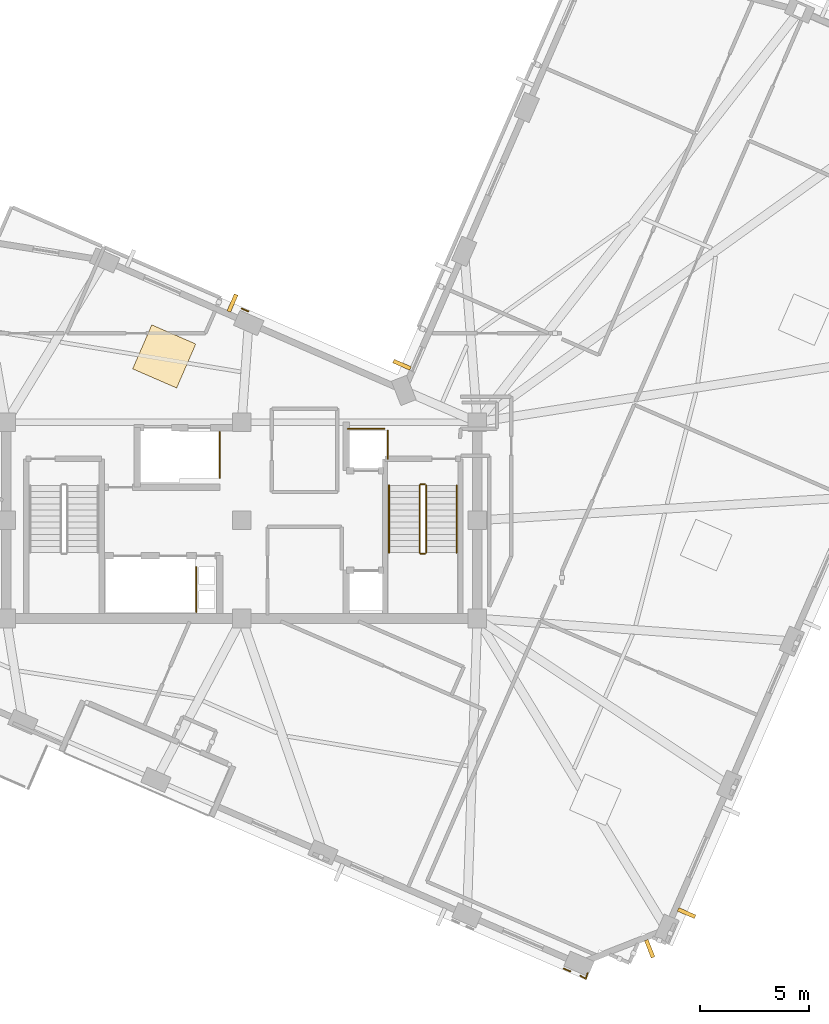
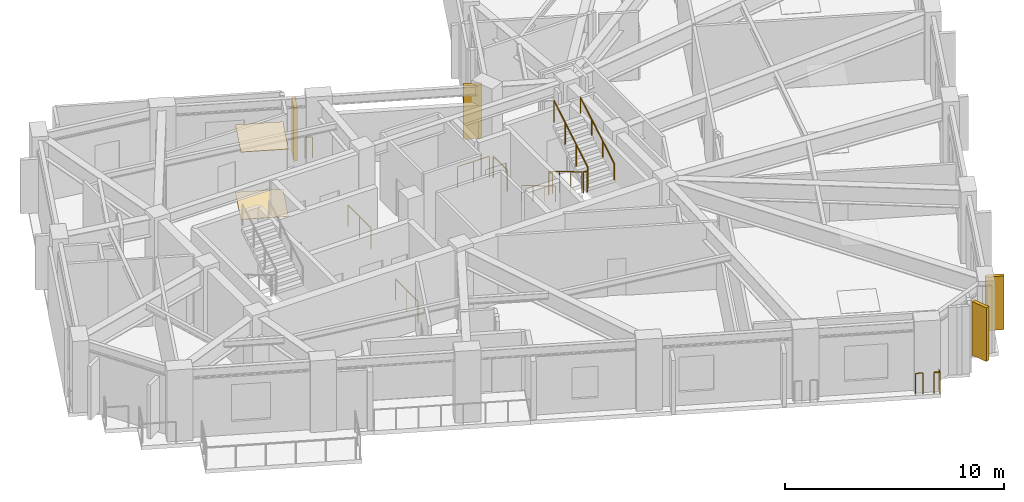
# One storey, part 10 of 12: 13 railings, 4 shading devices, 2 coverings.
"""IFC4 building model written with IfcOpenShell, lengths in metres."""

import ifcopenshell
import ifcopenshell.guid

model = None  # the IFC model being written
_history = None  # IfcOwnerHistory: only IFC2X3 demands one
_inside = {}  # id of a spatial element -> (the spatial element, [elements in it])
_under = {}  # id of a project, library or spatial element -> (it, [spatial elements below it])
_declared = {}  # id of a project -> (the project, [libraries it declares])
_typed = {}  # id of a type object -> (the type object, [elements of that type])
_made_of = {}  # id of a material, layer set ... -> (it, [elements and type objects made of it])


def new_model(schema):
    """Start an empty IFC model of exactly this schema.

    Asked for "IFC4X3", IfcOpenShell would pick the latest addendum, in which some entities
    have other attributes; the version numbers below select the first issue.
    IFC2X3 requires an IfcOwnerHistory on every rooted entity: one is made here for all.
    """
    global model, _history
    if schema == "IFC4X3":
        model = ifcopenshell.file(schema_version=(4, 3, 0, 0))
    else:
        model = ifcopenshell.file(schema=schema)
    _inside.clear()
    _under.clear()
    _declared.clear()
    _typed.clear()
    _made_of.clear()
    _history = None
    if model.schema == "IFC2X3":
        org = make("IfcOrganization", Name="unknown")
        user = make(
            "IfcPersonAndOrganization",
            ThePerson=make("IfcPerson", FamilyName="unknown"),
            TheOrganization=org,
        )
        app = make(
            "IfcApplication",
            ApplicationDeveloper=org,
            Version="unknown",
            ApplicationFullName="unknown",
            ApplicationIdentifier="unknown",
        )
        _history = make(
            "IfcOwnerHistory",
            OwningUser=user,
            OwningApplication=app,
            ChangeAction="ADDED",
            CreationDate=0,
        )
    return model


def make(cls, **values):
    """One entity of the class cls with the attributes given. An attribute that is None is left unset."""
    return model.create_entity(
        cls, **{name: value for name, value in values.items() if value is not None}
    )


def rooted(cls, **values):
    """An entity with a GlobalId (a new one), such as an element, a storey or a relation."""
    return make(cls, GlobalId=ifcopenshell.guid.new(), OwnerHistory=_history, **values)


def si_unit(unit_type, name, prefix=None):
    """IfcSIUnit, for example si_unit("LENGTHUNIT", "METRE", prefix="MILLI")."""
    return make("IfcSIUnit", UnitType=unit_type, Prefix=prefix, Name=name)


def assignment(units):
    """IfcUnitAssignment: the units of a project."""
    return None if units is None else make("IfcUnitAssignment", Units=units)


def point(xyz):
    """IfcCartesianPoint."""
    return None if xyz is None else make("IfcCartesianPoint", Coordinates=xyz)


def direction(xyz):
    """IfcDirection."""
    return None if xyz is None else make("IfcDirection", DirectionRatios=xyz)


def frame(location, z_axis=None, x_axis=None):
    """IfcAxis2Placement3D, a coordinate frame: its origin and axes. An axis left out is left unset."""
    return make(
        "IfcAxis2Placement3D",
        Location=point(location),
        Axis=direction(z_axis),
        RefDirection=direction(x_axis),
    )


def frame_2d(location, x_axis=None):
    """IfcAxis2Placement2D, a coordinate frame in the plane: its origin and x axis."""
    return make(
        "IfcAxis2Placement2D", Location=point(location), RefDirection=direction(x_axis)
    )


def origin():
    """The frame at (0, 0, 0) with its axes left unset."""
    return frame((0.0, 0.0, 0.0))


def origin_2d():
    """The frame at (0, 0) in the plane with its x axis left unset."""
    return frame_2d((0.0, 0.0))


def place(relative_to, where):
    """IfcLocalPlacement: puts the frame where relative to a parent placement (None: the world)."""
    return make(
        "IfcLocalPlacement", PlacementRelTo=relative_to, RelativePlacement=where
    )


def context(
    kind, dimensions, precision=None, world=None, true_north=None, identifier=None
):
    """IfcGeometricRepresentationContext, for example the 3D "Model" context."""
    return make(
        "IfcGeometricRepresentationContext",
        ContextIdentifier=identifier,
        ContextType=kind,
        CoordinateSpaceDimension=dimensions,
        Precision=precision,
        WorldCoordinateSystem=world,
        TrueNorth=true_north,
    )


def subcontext(parent, identifier, kind, view, scale=None):
    """IfcGeometricRepresentationSubContext, for example "Body" below "Model"."""
    return make(
        "IfcGeometricRepresentationSubContext",
        ContextIdentifier=identifier,
        ContextType=kind,
        ParentContext=parent,
        TargetScale=scale,
        TargetView=view,
    )


def project(units=None, contexts=None):
    """IfcProject with its units and contexts."""
    return rooted(
        "IfcProject",
        Name="project",
        RepresentationContexts=contexts,
        UnitsInContext=assignment(units),
    )


def spatial(cls, under=None, at=None, **own):
    """A site, building, storey or space (cls), placed at a placement, below another one or the project."""
    s = rooted(cls, ObjectPlacement=at, **own)
    if under is not None:
        _under.setdefault(under.id(), (under, []))[1].append(s)
    return s


def profile(cls, at=None, kind="AREA", **sizes):
    """A parametric profile (cls). Its sizes go by their IFC names, for example OverallWidth=200.0."""
    return make(cls, ProfileType=kind, Position=at, **sizes)


def rectangle(**sizes):
    """IfcRectangleProfileDef."""
    return profile("IfcRectangleProfileDef", **sizes)


def circle(**sizes):
    """IfcCircleProfileDef."""
    return profile("IfcCircleProfileDef", **sizes)


def extrude(swept, where, along, depth):
    """IfcExtrudedAreaSolid: the profile swept, set in the frame where, extruded along a direction by depth."""
    return make(
        "IfcExtrudedAreaSolid",
        SweptArea=swept,
        Position=where,
        ExtrudedDirection=direction(along),
        Depth=depth,
    )


def shape(context_of_items, identifier, shape_type, items):
    """IfcShapeRepresentation: the items that make up one representation, for example the "Body"."""
    return make(
        "IfcShapeRepresentation",
        ContextOfItems=context_of_items,
        RepresentationIdentifier=identifier,
        RepresentationType=shape_type,
        Items=items,
    )


def material(Name=None, Category=None):
    """IfcMaterial."""
    return make("IfcMaterial", Name=Name, Category=Category)


def layer(
    of_material, thickness, ventilated=None, Name=None, Category=None, Priority=None
):
    """IfcMaterialLayer: one layer of a wall or slab, of a material (None: an air gap)."""
    return make(
        "IfcMaterialLayer",
        Material=of_material,
        LayerThickness=thickness,
        IsVentilated=ventilated,
        Name=Name,
        Category=Category,
        Priority=Priority,
    )


def layer_set(layers, Name=None):
    """IfcMaterialLayerSet."""
    return make("IfcMaterialLayerSet", MaterialLayers=layers, LayerSetName=Name)


def made_of(thing, what):
    """Note that an element or type object is made of a material, layer set ...; save() writes the relation."""
    if what is not None:
        _made_of.setdefault(what.id(), (what, []))[1].append(thing)
    return thing


def type_object(cls, material=None, **own):
    """A type object (cls), such as IfcWallType, which elements share."""
    return made_of(rooted(cls, **own), material)


def element(
    cls,
    number,
    at=None,
    inside=None,
    cuts=None,
    type_object=None,
    material=None,
    context=None,
    identifier="Body",
    shape_type=None,
    held_by="IfcProductDefinitionShape",
    body=None,
    shapes=None,
    **own,
):
    """One element of the class cls, such as IfcWall. Its Tag is "e" and its number.

    at: its placement. inside: the storey or other place that contains it. cuts: it is an
    opening in that element (IfcRelVoidsElement). A single representation is given by context,
    identifier, shape_type and body (its items); several are given by shapes. held_by: the class
    of the entity that holds the representations. save() writes the other relations.
    """
    e = rooted(cls, Tag="e%d" % number, ObjectPlacement=at, **own)
    if body is not None:
        shapes = [shape(context, identifier, shape_type, body)]
    if shapes is not None:
        e.Representation = make(held_by, Representations=shapes)
    if inside is not None:
        _inside.setdefault(inside.id(), (inside, []))[1].append(e)
    if cuts is not None:
        rooted(
            "IfcRelVoidsElement", RelatingBuildingElement=cuts, RelatedOpeningElement=e
        )
    if type_object is not None:
        _typed.setdefault(type_object.id(), (type_object, []))[1].append(e)
    return made_of(e, material)


def aggregate(whole, parts):
    """IfcRelAggregates: a whole, such as a stair, and the parts it consists of."""
    return rooted("IfcRelAggregates", RelatingObject=whole, RelatedObjects=parts)


def save(model, path):
    """Write the relations noted so far, then the file.

    IfcRelAggregates (storeys below a building ...), IfcRelContainedInSpatialStructure (elements
    in a storey), IfcRelDefinesByType, IfcRelAssociatesMaterial and IfcRelDeclares: one each for
    every whole, place, type object, material and project.
    """
    for whole, parts in _under.values():
        aggregate(whole, parts)
    for where, things in _inside.values():
        rooted(
            "IfcRelContainedInSpatialStructure",
            RelatedElements=things,
            RelatingStructure=where,
        )
    for kind, things in _typed.values():
        rooted("IfcRelDefinesByType", RelatedObjects=things, RelatingType=kind)
    for what, things in _made_of.values():
        rooted("IfcRelAssociatesMaterial", RelatedObjects=things, RelatingMaterial=what)
    for by, libraries in _declared.values():
        rooted("IfcRelDeclares", RelatingContext=by, RelatedDefinitions=libraries)
    model.write(path)


model = new_model("IFC4")

# Units and contexts
model_context = context("Model", 3, precision=1e-05, world=origin(), true_north=direction((0.0, 1.0)))
body_context = subcontext(model_context, "Body", "Model", "MODEL_VIEW")
ifc_project = project(units=[si_unit("LENGTHUNIT", "METRE"), si_unit("AREAUNIT", "SQUARE_METRE"), si_unit("VOLUMEUNIT", "CUBIC_METRE"), si_unit("PLANEANGLEUNIT", "RADIAN"), si_unit("MASSUNIT", "GRAM", prefix="KILO")], contexts=[model_context])

# Site, building, storey
site_placement = place(None, origin())
site = spatial("IfcSite", under=ifc_project, at=site_placement, CompositionType="ELEMENT")
building_placement = place(site_placement, origin())
building = spatial("IfcBuilding", under=site, at=building_placement, Name="Gaonmaruhae Medical Tower", CompositionType="ELEMENT")
storey_placement = place(building_placement, frame((0.0, 0.0, 312.60009765625)))
storey = spatial("IfcBuildingStorey", under=building, at=storey_placement, Name="L75", CompositionType="ELEMENT", Elevation=312.60009765625)

# Coverings
ifc_material_1 = material(Name="Acoustic mineral ceiling tile", Category="finish")
ifc_layer_1 = layer(ifc_material_1, 0.02490234375)
ifc_layer_set_1 = layer_set([ifc_layer_1], Name="Acoustic mineral ceiling tile")
covering_type_1 = type_object("IfcCoveringType", Name="CLG-01 Antimicrobial Acoustic Mineral Ceiling", PredefinedType="CEILING", material=ifc_layer_set_1)
covering_1_placement = place(storey_placement, frame((21.2451171875, 19.813720703125, 3.7548828125), z_axis=(0.0, 0.0, 1.0), x_axis=(0.398749068925, 0.917060074385, 0.0)))
element("IfcCovering", 1, at=covering_1_placement, inside=storey, type_object=covering_type_1, Name="L75 Clinical Corridor Acoustic Ceiling", PredefinedType="CEILING", context=body_context, shape_type="SweptSolid", body=[
    extrude(rectangle(XDim=2.199951171875, YDim=2.199951171875, at=origin_2d()), origin(), (0.0, 0.0, 1.0), 0.02490234375),
])
ifc_material_2 = material(Name="Seamless clinical vinyl flooring", Category="finish")
ifc_layer_2 = layer(ifc_material_2, 0.014892578125)
ifc_layer_set_2 = layer_set([ifc_layer_2], Name="Seamless clinical vinyl flooring")
covering_type_2 = type_object("IfcCoveringType", Name="FLR-01 Seamless Clinical Antistatic Vinyl Flooring", PredefinedType="FLOORING", material=ifc_layer_set_2)
covering_2_placement = place(storey_placement, frame((21.2451171875, 19.813720703125, 0.00048828125), z_axis=(0.0, 0.0, 1.0), x_axis=(0.398749068925, 0.917060074385, 0.0)))
element("IfcCovering", 2, at=covering_2_placement, inside=storey, type_object=covering_type_2, Name="L75 Clinical Corridor Vinyl Flooring", PredefinedType="FLOORING", context=body_context, shape_type="SweptSolid", body=[
    extrude(rectangle(XDim=2.199951171875, YDim=2.199951171875, at=origin_2d()), origin(), (0.0, 0.0, 1.0), 0.014892578125),
])

# Railings
ifc_material_3 = material(Name="Stainless steel 316L and laminated safety glass", Category="steel")
ifc_layer_3 = layer(ifc_material_3, 0.080078125)
ifc_layer_set_3 = layer_set([ifc_layer_3], Name="Stainless steel 316L and laminated safety glass")
railing_type_1 = type_object("IfcRailingType", Name="GD-120 Outdoor Terrace Safety Glass & Steel Balustrade", PredefinedType="BALUSTRADE", material=ifc_layer_set_3)
railing_1_placement = place(storey_placement, frame((24.79296875, 22.010498046875, 0.0)))
element("IfcRailing", 3, at=railing_1_placement, inside=storey, type_object=railing_type_1, Name="L75 Perimeter Slab Edge Safety Balustrade 03", PredefinedType="BALUSTRADE", context=body_context, shape_type="SweptSolid", body=[
    extrude(circle(Radius=0.02392578125, at=origin_2d()), frame((0.0, 0.0, 1.17578125), z_axis=(0.917081518132, -0.398699748056, 0.0), x_axis=(0.398699748056, 0.917081518132, 0.0)), (0.0, 0.0, 1.0), 0.338623046875),
    extrude(circle(Radius=0.02099609375, at=origin_2d()), origin(), (0.0, 0.0, 1.0), 1.15185546875),
    extrude(circle(Radius=0.02099609375, at=origin_2d()), frame((0.310546875, -0.135009765625, 0.0)), (0.0, 0.0, 1.0), 1.15185546875),
])
railing_2_placement = place(storey_placement, frame((39.86865234375, -8.381591796875, 0.0)))
element("IfcRailing", 4, at=railing_2_placement, inside=storey, type_object=railing_type_1, Name="L75 Perimeter Slab Edge Safety Balustrade 09", PredefinedType="BALUSTRADE", context=body_context, shape_type="SweptSolid", body=[
    extrude(circle(Radius=0.02392578125, at=origin_2d()), frame((0.0, 0.0, 1.17578125), z_axis=(-0.917127136585, 0.398594800943, 0.0), x_axis=(-0.398594800943, -0.917127136585, 0.0)), (0.0, 0.0, 1.0), 0.33984375),
    extrude(circle(Radius=0.02099609375, at=origin_2d()), origin(), (0.0, 0.0, 1.0), 1.15185546875),
    extrude(circle(Radius=0.02099609375, at=origin_2d()), frame((-0.311767578125, 0.135498046875, 0.0)), (0.0, 0.0, 1.0), 1.15185546875),
])
railing_3_placement = place(storey_placement, frame((40.65625, -8.451416015625, 0.0)))
element("IfcRailing", 5, at=railing_3_placement, inside=storey, type_object=railing_type_1, Name="L75 Perimeter Corner Safety Balustrade 18", PredefinedType="BALUSTRADE", context=body_context, shape_type="SweptSolid", body=[
    extrude(circle(Radius=0.02392578125, at=origin_2d()), frame((0.0, 0.0, 1.17578125), z_axis=(-0.28391467167, -0.958849549831, 0.0), x_axis=(0.958849549831, -0.28391467167, 0.0)), (0.0, 0.0, 1.0), 0.287109375),
    extrude(circle(Radius=0.02392578125, at=origin_2d()), frame((-0.08154296875, -0.275390625, 1.17578125), z_axis=(-0.861518532877, 0.507726124509, 0.0), x_axis=(-0.507726124509, -0.861518532877, 0.0)), (0.0, 0.0, 1.0), 0.287109375),
    extrude(circle(Radius=0.02099609375, at=origin_2d()), origin(), (0.0, 0.0, 1.0), 1.15185546875),
    extrude(circle(Radius=0.02099609375, at=origin_2d()), frame((-0.08154296875, -0.275390625, 0.0)), (0.0, 0.0, 1.0), 1.15185546875),
    extrude(circle(Radius=0.02099609375, at=origin_2d()), frame((-0.328857421875, -0.129638671875, 0.0)), (0.0, 0.0, 1.0), 1.15185546875),
])
ifc_material_4 = material(Name="Stainless steel 304 handrail", Category="steel")
railing_type_2 = type_object("IfcRailingType", Name="HR-092 Continuous Stainless Steel Stair Handrail", PredefinedType="HANDRAIL", material=ifc_material_4)
railing_4_placement = place(storey_placement, frame((31.550048828125, 13.89990234375, 0.16650390625)))
element("IfcRailing", 6, at=railing_4_placement, inside=storey, type_object=railing_type_2, Name="L75 ST-02 stair handrail 1", PredefinedType="HANDRAIL", context=body_context, shape_type="SweptSolid", body=[
    extrude(circle(Radius=0.02392578125, at=origin_2d()), frame((0.0, 0.0, 0.8759765625), z_axis=(0.0, -0.859260807169, 0.511537745687), x_axis=(1.0, 0.0, 0.0)), (0.0, 0.0, 1.0), 3.584228515625),
    extrude(circle(Radius=0.02099609375, at=origin_2d()), origin(), (0.0, 0.0, 1.0), 0.851806640625),
    extrude(circle(Radius=0.02099609375, at=origin_2d()), frame((0.0, -1.026611328125, 0.611083984375)), (0.0, 0.0, 1.0), 0.851806640625),
    extrude(circle(Radius=0.02099609375, at=origin_2d()), frame((0.0, -2.05322265625, 1.222412109375)), (0.0, 0.0, 1.0), 0.851806640625),
    extrude(circle(Radius=0.02099609375, at=origin_2d()), frame((0.0, -3.079833984375, 1.83349609375)), (0.0, 0.0, 1.0), 0.851806640625),
])
railing_5_placement = place(storey_placement, frame((34.64990234375, 10.820068359375, 2.16650390625)))
element("IfcRailing", 7, at=railing_5_placement, inside=storey, type_object=railing_type_2, Name="L75 ST-02 stair handrail 2", PredefinedType="HANDRAIL", context=body_context, shape_type="SweptSolid", body=[
    extrude(circle(Radius=0.02392578125, at=origin_2d()), frame((0.0, 0.0, 0.8759765625), z_axis=(0.0, 0.859260807169, 0.511537745687), x_axis=(-1.0, 0.0, 0.0)), (0.0, 0.0, 1.0), 3.584228515625),
    extrude(circle(Radius=0.02099609375, at=origin_2d()), origin(), (0.0, 0.0, 1.0), 0.851806640625),
    extrude(circle(Radius=0.02099609375, at=origin_2d()), frame((0.0, 1.026611328125, 0.611083984375)), (0.0, 0.0, 1.0), 0.851806640625),
    extrude(circle(Radius=0.02099609375, at=origin_2d()), frame((0.0, 2.05322265625, 1.222412109375)), (0.0, 0.0, 1.0), 0.851806640625),
    extrude(circle(Radius=0.02099609375, at=origin_2d()), frame((0.0, 3.079833984375, 1.83349609375)), (0.0, 0.0, 1.0), 0.851806640625),
])

# Shading devices
ifc_material_5 = material(Name="Pigmented coral precast concrete C45/55", Category="concrete")
shading_device_type = type_object("IfcShadingDeviceType", Name="SD-FIN1 Tower Vertical Coral Precast Shading Fin", PredefinedType="USERDEFINED", material=ifc_material_5)
for number, where, z_axis, x_axis, name in (
    (8, (45.192626953125, -5.705078125, 0.13232421875), (0.0, 0.0, 1.0), (-0.398749068925, -0.917060074385, 0.0), "L75 Vertical Coral Precast Shading Fin S01B"),
    (9, (32.14404296875, 19.432861328125, 0.13232421875), (0.0, 0.0, 1.0), (0.398749068925, 0.917060074385, 0.0), "L75 Vertical Coral Precast Shading Fin EN02"),
    (10, (24.37548828125, 22.2626953125, 0.13232421875), (0.0, 0.0, 1.0), (0.917060074385, -0.398749068925, 0.0), "L75 Vertical Coral Precast Shading Fin NE01B"),
    (11, (43.500244140625, -7.33935546875, 0.13232421875), (0.0, 0.0, 1.0), (-0.930411171187, -0.366517465518, 0.0), "L75 Vertical Coral Precast Shading Fin W06"),
):
    element("IfcShadingDevice", number, at=place(storey_placement, frame(where, z_axis=z_axis, x_axis=x_axis)), inside=storey, type_object=shading_device_type, Name=name, ObjectType="FIN", PredefinedType="USERDEFINED", context=body_context, shape_type="SweptSolid", body=[
        extrude(rectangle(XDim=0.179931640625, YDim=0.85009765625, at=origin_2d()), origin(), (0.0, 0.0, 1.0), 3.0),
    ])

# Railings
ifc_material_6 = material(Name="Stainless steel 304 balustrade", Category="steel")
railing_type_3 = type_object("IfcRailingType", Name="SG-112 Stair Well & Ramp Void Safety Balustrade", PredefinedType="BALUSTRADE", material=ifc_material_6)
railing_6_placement = place(storey_placement, frame((32.949951171875, 13.89990234375, 0.16650390625)))
element("IfcRailing", 12, at=railing_6_placement, inside=storey, type_object=railing_type_3, Name="L75 ST-02 stair guard 1", PredefinedType="BALUSTRADE", context=body_context, shape_type="SweptSolid", body=[
    extrude(circle(Radius=0.02392578125, at=origin_2d()), frame((0.0, 0.0, 1.17578125), z_axis=(0.0, -0.859260807169, 0.511537745687), x_axis=(1.0, 0.0, 0.0)), (0.0, 0.0, 1.0), 3.584228515625),
    extrude(circle(Radius=0.02099609375, at=origin_2d()), origin(), (0.0, 0.0, 1.0), 1.15185546875),
    extrude(circle(Radius=0.02099609375, at=origin_2d()), frame((0.0, -1.026611328125, 0.611083984375)), (0.0, 0.0, 1.0), 1.15185546875),
    extrude(circle(Radius=0.02099609375, at=origin_2d()), frame((0.0, -2.05322265625, 1.222412109375)), (0.0, 0.0, 1.0), 1.15185546875),
    extrude(circle(Radius=0.02099609375, at=origin_2d()), frame((0.0, -3.079833984375, 1.83349609375)), (0.0, 0.0, 1.0), 1.15185546875),
])
railing_7_placement = place(storey_placement, frame((33.0, 10.77001953125, 2.0)))
element("IfcRailing", 13, at=railing_7_placement, inside=storey, type_object=railing_type_3, Name="L75 ST-02 stair guard 2", PredefinedType="BALUSTRADE", context=body_context, shape_type="SweptSolid", body=[
    extrude(circle(Radius=0.02392578125, at=origin_2d()), frame((0.0, 0.0, 1.17578125), z_axis=(1.0, 0.0, 0.0), x_axis=(0.0, 1.0, 0.0)), (0.0, 0.0, 1.0), 0.199951171875),
    extrude(circle(Radius=0.02099609375, at=origin_2d()), origin(), (0.0, 0.0, 1.0), 1.15185546875),
    extrude(circle(Radius=0.02099609375, at=origin_2d()), frame((0.199951171875, 0.0, 0.0)), (0.0, 0.0, 1.0), 1.15185546875),
])
railing_8_placement = place(storey_placement, frame((33.25, 10.820068359375, 2.16650390625)))
element("IfcRailing", 14, at=railing_8_placement, inside=storey, type_object=railing_type_3, Name="L75 ST-02 stair guard 3", PredefinedType="BALUSTRADE", context=body_context, shape_type="SweptSolid", body=[
    extrude(circle(Radius=0.02392578125, at=origin_2d()), frame((0.0, 0.0, 1.17578125), z_axis=(0.0, 0.859260807169, 0.511537745687), x_axis=(-1.0, 0.0, 0.0)), (0.0, 0.0, 1.0), 3.584228515625),
    extrude(circle(Radius=0.02099609375, at=origin_2d()), origin(), (0.0, 0.0, 1.0), 1.15185546875),
    extrude(circle(Radius=0.02099609375, at=origin_2d()), frame((0.0, 1.026611328125, 0.611083984375)), (0.0, 0.0, 1.0), 1.15185546875),
    extrude(circle(Radius=0.02099609375, at=origin_2d()), frame((0.0, 2.05322265625, 1.222412109375)), (0.0, 0.0, 1.0), 1.15185546875),
    extrude(circle(Radius=0.02099609375, at=origin_2d()), frame((0.0, 3.079833984375, 1.83349609375)), (0.0, 0.0, 1.0), 1.15185546875),
])
railing_9_placement = place(storey_placement, frame((33.0, 13.949951171875, 0.0)))
element("IfcRailing", 15, at=railing_9_placement, inside=storey, type_object=railing_type_3, Name="L75 ST-02 stair guard 4", PredefinedType="BALUSTRADE", context=body_context, shape_type="SweptSolid", body=[
    extrude(circle(Radius=0.02392578125, at=origin_2d()), frame((0.0, 0.0, 1.17578125), z_axis=(1.0, 0.0, 0.0), x_axis=(0.0, 1.0, 0.0)), (0.0, 0.0, 1.0), 0.199951171875),
    extrude(circle(Radius=0.02099609375, at=origin_2d()), origin(), (0.0, 0.0, 1.0), 1.15185546875),
    extrude(circle(Radius=0.02099609375, at=origin_2d()), frame((0.199951171875, 0.0, 0.0)), (0.0, 0.0, 1.0), 1.15185546875),
])
railing_10_placement = place(storey_placement, frame((22.719970703125, 10.159912109375, 0.0)))
element("IfcRailing", 16, at=railing_10_placement, inside=storey, type_object=railing_type_3, Name="L75 Shaft Edge Safety Guard 19", PredefinedType="BALUSTRADE", context=body_context, shape_type="SweptSolid", body=[
    extrude(circle(Radius=0.02392578125, at=origin_2d()), frame((0.0, 0.0, 1.17578125), z_axis=(0.0, -1.0, 0.0), x_axis=(1.0, 0.0, 0.0)), (0.0, 0.0, 1.0), 2.06494140625),
    extrude(circle(Radius=0.02099609375, at=origin_2d()), origin(), (0.0, 0.0, 1.0), 1.15185546875),
    extrude(circle(Radius=0.02099609375, at=origin_2d()), frame((0.0, -1.032470703125, 0.0)), (0.0, 0.0, 1.0), 1.15185546875),
    extrude(circle(Radius=0.02099609375, at=origin_2d()), frame((0.0, -2.06494140625, 0.0)), (0.0, 0.0, 1.0), 1.15185546875),
])
railing_11_placement = place(storey_placement, frame((23.794921875, 16.35498046875, 0.0)))
element("IfcRailing", 17, at=railing_11_placement, inside=storey, type_object=railing_type_3, Name="L75 Shaft Edge Safety Guard 20", PredefinedType="BALUSTRADE", context=body_context, shape_type="SweptSolid", body=[
    extrude(circle(Radius=0.02392578125, at=origin_2d()), frame((0.0, 0.0, 1.17578125), z_axis=(0.0, -1.0, 0.0), x_axis=(1.0, 0.0, 0.0)), (0.0, 0.0, 1.0), 2.10986328125),
    extrude(circle(Radius=0.02099609375, at=origin_2d()), origin(), (0.0, 0.0, 1.0), 1.15185546875),
    extrude(circle(Radius=0.02099609375, at=origin_2d()), frame((0.0, -1.054931640625, 0.0)), (0.0, 0.0, 1.0), 1.15185546875),
    extrude(circle(Radius=0.02099609375, at=origin_2d()), frame((0.0, -2.10986328125, 0.0)), (0.0, 0.0, 1.0), 1.15185546875),
])
railing_12_placement = place(storey_placement, frame((31.4951171875, 16.405029296875, 0.0)))
element("IfcRailing", 18, at=railing_12_placement, inside=storey, type_object=railing_type_3, Name="L75 Shaft Edge Safety Guard 21", PredefinedType="BALUSTRADE", context=body_context, shape_type="SweptSolid", body=[
    extrude(circle(Radius=0.02392578125, at=origin_2d()), frame((0.0, 0.0, 1.17578125), z_axis=(0.0, -1.0, 0.0), x_axis=(1.0, 0.0, 0.0)), (0.0, 0.0, 1.0), 1.284912109375),
    extrude(circle(Radius=0.02099609375, at=origin_2d()), origin(), (0.0, 0.0, 1.0), 1.15185546875),
    extrude(circle(Radius=0.02099609375, at=origin_2d()), frame((0.0, -1.284912109375, 0.0)), (0.0, 0.0, 1.0), 1.15185546875),
])
railing_13_placement = place(storey_placement, frame((29.6630859375, 16.4951171875, 0.0)))
element("IfcRailing", 19, at=railing_13_placement, inside=storey, type_object=railing_type_3, Name="L75 Shaft Edge Safety Guard 22", PredefinedType="BALUSTRADE", context=body_context, shape_type="SweptSolid", body=[
    extrude(circle(Radius=0.02392578125, at=origin_2d()), frame((0.0, 0.0, 1.17578125), z_axis=(1.0, 0.0, 0.0), x_axis=(0.0, 1.0, 0.0)), (0.0, 0.0, 1.0), 1.673828125),
    extrude(circle(Radius=0.02099609375, at=origin_2d()), origin(), (0.0, 0.0, 1.0), 1.15185546875),
    extrude(circle(Radius=0.02099609375, at=origin_2d()), frame((0.8369140625, 0.0, 0.0)), (0.0, 0.0, 1.0), 1.15185546875),
    extrude(circle(Radius=0.02099609375, at=origin_2d()), frame((1.673828125, 0.0, 0.0)), (0.0, 0.0, 1.0), 1.15185546875),
])

save(model, "model.ifc")
